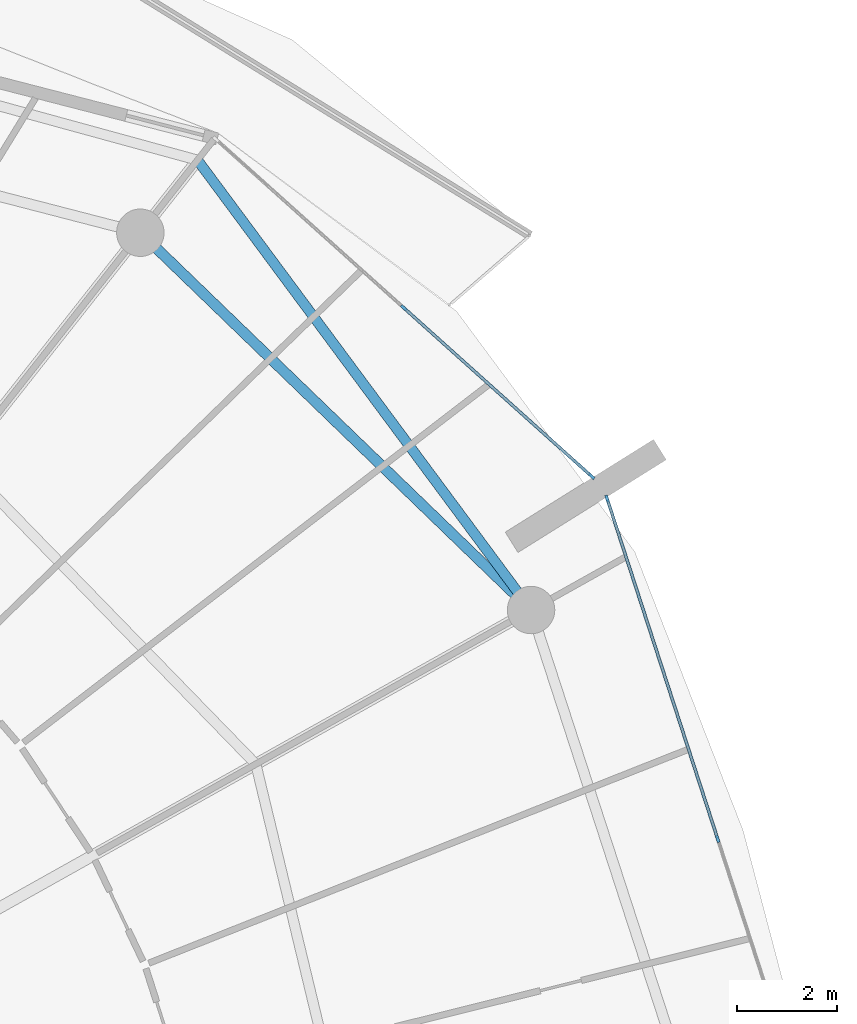
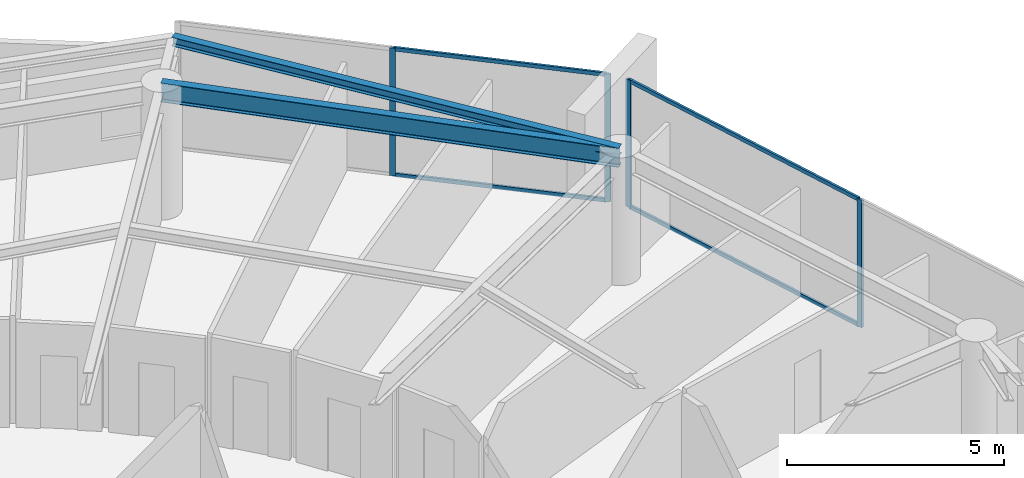
# One storey, part 14 of 30: 8 members, 2 beams, 2 elements without a shape of their own.
"""IFC4 building model written with IfcOpenShell, lengths in metres."""

from ifc_helpers import new_model, si_unit, direction, frame, origin, origin_2d, place, context, subcontext, project, spatial, rectangle, i_section, extrude, material, layer, layer_set, material_profile, profile_set, type_object, element, aggregate, save


model = new_model("IFC4")

# Units and contexts
model_context = context("Model", 3, precision=1e-05, world=origin(), true_north=direction((0.0, 1.0)))
body_context = subcontext(model_context, "Body", "Model", "MODEL_VIEW")
ifc_project = project(units=[si_unit("LENGTHUNIT", "METRE"), si_unit("AREAUNIT", "SQUARE_METRE"), si_unit("VOLUMEUNIT", "CUBIC_METRE"), si_unit("PLANEANGLEUNIT", "RADIAN"), si_unit("MASSUNIT", "GRAM", prefix="KILO")], contexts=[model_context])

# Site, building, storey
site_placement = place(None, origin())
site = spatial("IfcSite", under=ifc_project, at=site_placement, CompositionType="ELEMENT")
building_placement = place(site_placement, origin())
building = spatial("IfcBuilding", under=site, at=building_placement, Name="Kazma Halo Residences", CompositionType="ELEMENT")
storey_placement = place(building_placement, frame((0.0, 0.0, 255.949951171875)))
storey = spatial("IfcBuildingStorey", under=building, at=storey_placement, Name="L64", CompositionType="ELEMENT", Elevation=255.949951171875)

# Beams
ifc_material_1 = material(Name="Steel S355", Category="steel")
ifc_material_profile_1 = material_profile(ifc_material_1, i_section(OverallWidth=0.201904296875, OverallDepth=0.2470703125, WebThickness=0.00732421875, FlangeThickness=0.010986328125, FilletRadius=0.011962890625, at=origin_2d()), Name="W250x49.1")
ifc_profile_set_1 = profile_set([ifc_material_profile_1], Name="Steel S355")
beam_type_1 = type_object("IfcBeamType", Name="BM-BAL-CANT", PredefinedType="BEAM", material=ifc_profile_set_1)
beam_1_placement = place(storey_placement, frame((72.67041015625, 55.81591796875, 3.466552734375), z_axis=(-0.595556062515, 0.803313747176, 0.0), x_axis=(-0.803313747176, -0.595556062515, 0.0)))
element("IfcBeam", 1, at=beam_1_placement, inside=storey, type_object=beam_type_1, Name="L64 wave-balcony lead tie beam 01", PredefinedType="BEAM", context=body_context, shape_type="SweptSolid", body=[
    extrude(i_section(OverallWidth=0.201904296875, OverallDepth=0.2470703125, WebThickness=0.00732421875, FlangeThickness=0.010986328125, FilletRadius=0.011962890625, at=origin_2d()), origin(), (0.0, 0.0, 1.0), 11.213134765625),
])
ifc_material_profile_2 = material_profile(ifc_material_1, i_section(OverallWidth=0.208984375, OverallDepth=0.532958984375, WebThickness=0.01025390625, FlangeThickness=0.015625, FilletRadius=0.01611328125, at=origin_2d()), Name="W530x92")
ifc_profile_set_2 = profile_set([ifc_material_profile_2], Name="Steel S355")
beam_type_2 = type_object("IfcBeamType", Name="BM-SPN-W530", PredefinedType="BEAM", material=ifc_profile_set_2)
beam_2_placement = place(storey_placement, frame((72.67041015625, 55.81591796875, 3.323486328125), z_axis=(-0.719345757929, 0.694652201141, 0.0), x_axis=(-0.694652201141, -0.719345757929, 0.0)))
element("IfcBeam", 2, at=beam_2_placement, inside=storey, type_object=beam_type_2, Name="L64 perimeter ring beam 01", PredefinedType="BEAM", context=body_context, shape_type="SweptSolid", body=[
    extrude(i_section(OverallWidth=0.208984375, OverallDepth=0.532958984375, WebThickness=0.01025390625, FlangeThickness=0.015625, FilletRadius=0.01611328125, at=origin_2d()), origin(), (0.0, 0.0, 1.0), 10.87548828125),
])

# Curtain wall, members
ifc_material_2 = material(Name="Aluminium AW-6063 T6 and Triple-Silver Low-E Glass", Category="aluminium")
ifc_layer = layer(ifc_material_2, 0.139892578125)
ifc_layer_set = layer_set([ifc_layer], Name="Aluminium AW-6063 T6 and Triple-Silver Low-E Glass")
curtain_wall_type = type_object("IfcCurtainWallType", Name="CW-SYS-5", PredefinedType="NOTDEFINED", material=ifc_layer_set)
curtain_wall_1_placement = place(storey_placement, origin())
curtain_wall_1 = element("IfcCurtainWall", 3, at=curtain_wall_1_placement, inside=storey, type_object=curtain_wall_type, Name="L64 unitised curtain wall B01", PredefinedType="NOTDEFINED")
ifc_material_3 = material(Name="Aluminium AW-6063 T6", Category="aluminium")
ifc_material_profile_3 = material_profile(ifc_material_3, rectangle(XDim=0.06005859375, YDim=0.139892578125, at=origin_2d()), Name="CWM-60x140")
ifc_profile_set_3 = profile_set([ifc_material_profile_3], Name="Aluminium AW-6063 T6")
member_type_1 = type_object("IfcMemberType", Name="CW-SYS-5-MUL", PredefinedType="MULLION", material=ifc_profile_set_3)
member_1_placement = place(storey_placement, frame((73.88330078125, 58.491943359375, 0.0), z_axis=(0.0, 0.0, 1.0), x_axis=(-0.667804826958, -0.744336424671, 0.0)))
member_1 = element("IfcMember", 4, at=member_1_placement, type_object=member_type_1, Name="CWS-5 mullion 1", PredefinedType="MULLION", context=body_context, shape_type="SweptSolid", body=[
    extrude(rectangle(XDim=0.06005859375, YDim=0.139892578125, at=origin_2d()), origin(), (0.0, 0.0, 1.0), 3.590087890625),
])
member_2_placement = place(storey_placement, frame((70.121826171875, 61.86669921875, 0.0), z_axis=(0.0, 0.0, 1.0), x_axis=(-0.667804826958, -0.744336424671, 0.0)))
member_2 = element("IfcMember", 5, at=member_2_placement, type_object=member_type_1, Name="CWS-5 mullion 2", PredefinedType="MULLION", context=body_context, shape_type="SweptSolid", body=[
    extrude(rectangle(XDim=0.06005859375, YDim=0.139892578125, at=origin_2d()), origin(), (0.0, 0.0, 1.0), 3.590087890625),
])

curtain_wall_2_placement = place(storey_placement, origin())
curtain_wall_2 = element("IfcCurtainWall", 6, at=curtain_wall_2_placement, inside=storey, type_object=curtain_wall_type, Name="L64 unitised curtain wall B16", PredefinedType="NOTDEFINED")
member_3_placement = place(storey_placement, frame((76.40771484375, 51.230224609375, 0.0), z_axis=(0.0, 0.0, 1.0), x_axis=(-0.951058464359, -0.309010998786, 0.0)))
member_3 = element("IfcMember", 7, at=member_3_placement, type_object=member_type_1, Name="CWS-5 mullion 2", PredefinedType="MULLION", context=body_context, shape_type="SweptSolid", body=[
    extrude(rectangle(XDim=0.06005859375, YDim=0.139892578125, at=origin_2d()), origin(), (0.0, 0.0, 1.0), 3.590087890625),
])
member_4_placement = place(storey_placement, frame((74.1923828125, 58.0478515625, 0.0), z_axis=(0.0, 0.0, 1.0), x_axis=(-0.951058464359, -0.309010998786, 0.0)))
member_4 = element("IfcMember", 8, at=member_4_placement, type_object=member_type_1, Name="CWS-5 mullion 3", PredefinedType="MULLION", context=body_context, shape_type="SweptSolid", body=[
    extrude(rectangle(XDim=0.06005859375, YDim=0.139892578125, at=origin_2d()), origin(), (0.0, 0.0, 1.0), 3.590087890625),
])

# Member
ifc_material_profile_4 = material_profile(ifc_material_3, rectangle(XDim=0.06005859375, YDim=0.10498046875, at=origin_2d()), Name="CWT-60x105")
ifc_profile_set_4 = profile_set([ifc_material_profile_4], Name="Aluminium AW-6063 T6")
member_type_2 = type_object("IfcMemberType", Name="CW-SYS-5-TRN", PredefinedType="USERDEFINED", material=ifc_profile_set_4)
member_5_placement = place(storey_placement, frame((73.861083984375, 58.511962890625, 0.030029296875), z_axis=(-0.744328897483, 0.667813216679, 0.0), x_axis=(-0.667813216679, -0.744328897483, 0.0)))
member_5 = element("IfcMember", 9, at=member_5_placement, type_object=member_type_2, Name="CWS-5 transom 1.1", ObjectType="TRANSOM", PredefinedType="USERDEFINED", context=body_context, shape_type="SweptSolid", body=[
    extrude(rectangle(XDim=0.06005859375, YDim=0.10498046875, at=origin_2d()), origin(), (0.0, 0.0, 1.0), 4.993408203125),
])

member_6_placement = place(storey_placement, frame((73.861083984375, 58.511962890625, 3.56005859375), z_axis=(-0.744328897483, 0.667813216679, 0.0), x_axis=(-0.667813216679, -0.744328897483, 0.0)))
member_6 = element("IfcMember", 10, at=member_6_placement, type_object=member_type_2, Name="CWS-5 transom 1.2", ObjectType="TRANSOM", PredefinedType="USERDEFINED", context=body_context, shape_type="SweptSolid", body=[
    extrude(rectangle(XDim=0.06005859375, YDim=0.10498046875, at=origin_2d()), origin(), (0.0, 0.0, 1.0), 4.993408203125),
])

aggregate(curtain_wall_1, [member_1, member_2, member_5, member_6])

member_7_placement = place(storey_placement, frame((76.3984375, 51.2587890625, 0.030029296875), z_axis=(-0.309027052142, 0.95105324827, 0.0), x_axis=(-0.95105324827, -0.309027052142, 0.0)))
member_7 = element("IfcMember", 11, at=member_7_placement, type_object=member_type_2, Name="CWS-5 transom 2.1", ObjectType="TRANSOM", PredefinedType="USERDEFINED", context=body_context, shape_type="SweptSolid", body=[
    extrude(rectangle(XDim=0.06005859375, YDim=0.10498046875, at=origin_2d()), origin(), (0.0, 0.0, 1.0), 7.108642578125),
])

member_8_placement = place(storey_placement, frame((76.3984375, 51.2587890625, 3.56005859375), z_axis=(-0.309027052142, 0.95105324827, 0.0), x_axis=(-0.95105324827, -0.309027052142, 0.0)))
member_8 = element("IfcMember", 12, at=member_8_placement, type_object=member_type_2, Name="CWS-5 transom 2.2", ObjectType="TRANSOM", PredefinedType="USERDEFINED", context=body_context, shape_type="SweptSolid", body=[
    extrude(rectangle(XDim=0.06005859375, YDim=0.10498046875, at=origin_2d()), origin(), (0.0, 0.0, 1.0), 7.108642578125),
])

aggregate(curtain_wall_2, [member_3, member_4, member_7, member_8])

save(model, "model.ifc")
